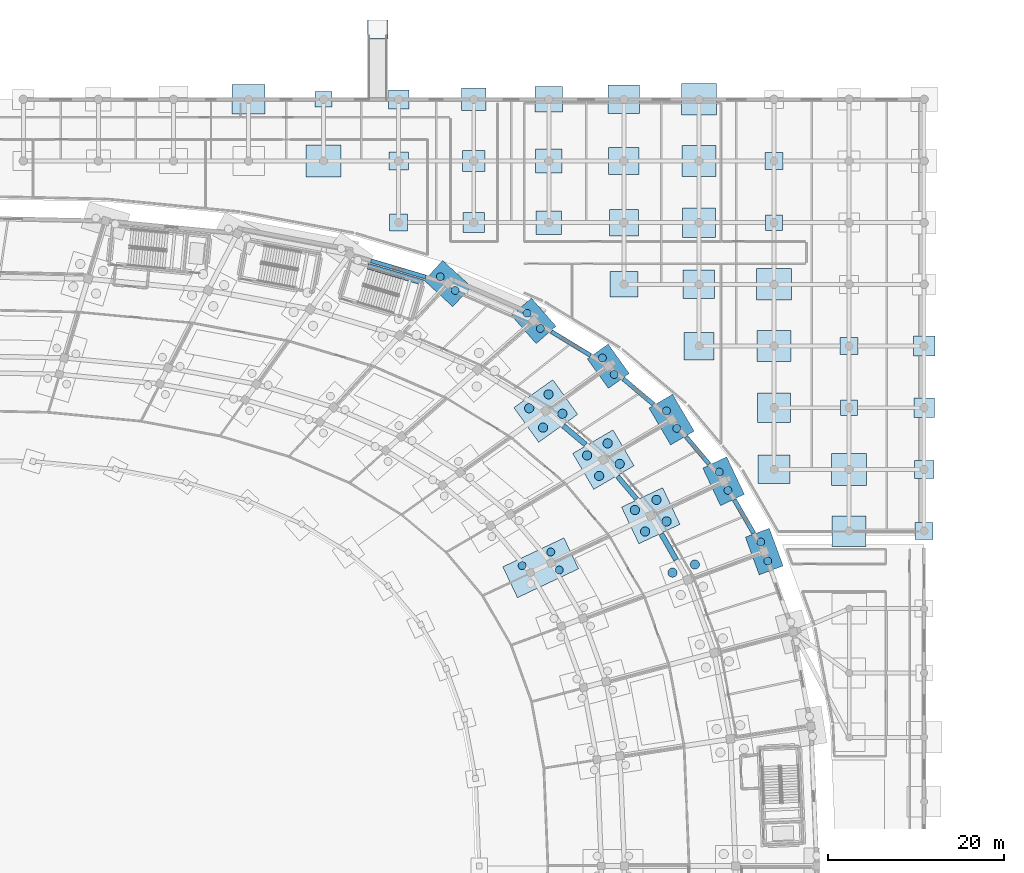
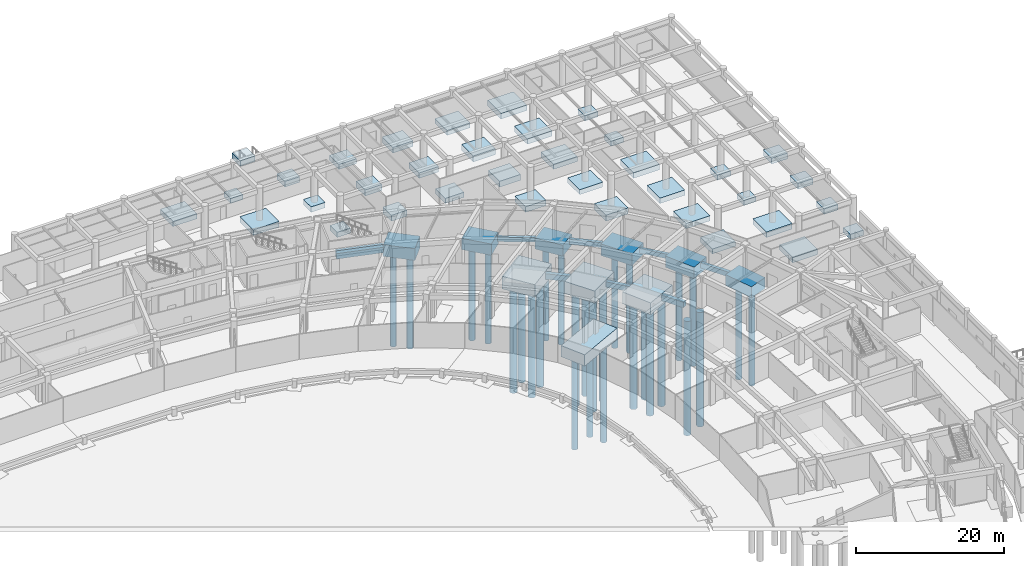
# One storey, part 13 of 88: 55 footings, 29 piles.
"""IFC4 building model written with IfcOpenShell, lengths in metres."""

from ifc_helpers import new_model, si_unit, direction, frame, origin, origin_2d, place, context, subcontext, project, spatial, rectangle, circle, extrude, material, material_profile, profile_set, type_object, element, save


model = new_model("IFC4")

# Units and contexts
model_context = context("Model", 3, precision=1e-05, world=origin(), true_north=direction((0.0, 1.0)))
body_context = subcontext(model_context, "Body", "Model", "MODEL_VIEW")
ifc_project = project(units=[si_unit("LENGTHUNIT", "METRE"), si_unit("AREAUNIT", "SQUARE_METRE"), si_unit("VOLUMEUNIT", "CUBIC_METRE"), si_unit("PLANEANGLEUNIT", "RADIAN"), si_unit("MASSUNIT", "GRAM", prefix="KILO")], contexts=[model_context])

# Site, building, storey
site_placement = place(None, origin())
site = spatial("IfcSite", under=ifc_project, at=site_placement, CompositionType="ELEMENT")
building_placement = place(site_placement, origin())
building = spatial("IfcBuilding", under=site, at=building_placement, Name="Mphavela Belvedere Stadium", CompositionType="ELEMENT")
storey_placement = place(building_placement, origin())
storey = spatial("IfcBuildingStorey", under=building, at=storey_placement, Name="L00", CompositionType="ELEMENT", Elevation=0.0)

# Footings
ifc_material_1 = material(Name="Concrete C35/45", Category="concrete")
footing_type_1 = type_object("IfcFootingType", Name="FTG-CORE-CF16", PredefinedType="PAD_FOOTING", material=ifc_material_1)
footing_1_placement = place(storey_placement, frame((169.988525390625, 154.138916015625, -0.89990234375), z_axis=(0.0, 0.0, 1.0), x_axis=(0.958670893355, -0.284517342588, 0.0)))
element("IfcFooting", 1, at=footing_1_placement, inside=storey, type_object=footing_type_1, Name="Core P01 shear wall foundation pad rear", PredefinedType="PAD_FOOTING", context=body_context, shape_type="SweptSolid", body=[
    extrude(rectangle(XDim=6.5, YDim=0.64990234375, at=origin_2d()), origin(), (0.0, 0.0, 1.0), 0.89990234375),
])
ifc_material_2 = material(Name="Concrete C35/45", Category="concrete")
ifc_material_profile_1 = material_profile(ifc_material_2, rectangle(XDim=0.449951171875, YDim=0.75, at=origin_2d()), Name="GB 450x750")
ifc_profile_set_1 = profile_set([ifc_material_profile_1], Name="Concrete C35/45")
footing_type_2 = type_object("IfcFootingType", Name="FTG-GB-01", PredefinedType="FOOTING_BEAM", material=ifc_profile_set_1)
footing_2_placement = place(storey_placement, frame((205.61279296875, 132.59130859375, -0.5), z_axis=(-0.645171529, 0.764037759648, 0.0), x_axis=(-0.764037759648, -0.645171529, 0.0)))
element("IfcFooting", 2, at=footing_2_placement, inside=storey, type_object=footing_type_2, Name="Ground tie-beam R4-05", PredefinedType="FOOTING_BEAM", context=body_context, shape_type="SweptSolid", body=[
    extrude(rectangle(XDim=0.449951171875, YDim=0.75, at=origin_2d()), origin(), (0.0, 0.0, 1.0), 4.09130859375),
])
footing_3_placement = place(storey_placement, frame((192.138916015625, 144.94140625, -0.5), z_axis=(-0.854311714945, 0.519760996716, 0.0), x_axis=(-0.519760996716, -0.854311714945, 0.0)))
element("IfcFooting", 3, at=footing_3_placement, inside=storey, type_object=footing_type_2, Name="Ground tie-beam R4-07", PredefinedType="FOOTING_BEAM", context=body_context, shape_type="SweptSolid", body=[
    extrude(rectangle(XDim=0.449951171875, YDim=0.75, at=origin_2d()), origin(), (0.0, 0.0, 1.0), 5.206787109375),
])
footing_4_placement = place(storey_placement, frame((173.4462890625, 153.830810546875, -0.5), z_axis=(-0.958664167642, 0.284540003654, 0.0), x_axis=(-0.284540003654, -0.958664167642, 0.0)))
element("IfcFooting", 4, at=footing_4_placement, inside=storey, type_object=footing_type_2, Name="Ground tie-beam R4-09", PredefinedType="FOOTING_BEAM", context=body_context, shape_type="SweptSolid", body=[
    extrude(rectangle(XDim=0.449951171875, YDim=0.75, at=origin_2d()), origin(), (0.0, 0.0, 1.0), 6.49609375),
])
ifc_material_3 = material(Name="Concrete C35/45", Category="concrete")
ifc_material_profile_2 = material_profile(ifc_material_3, rectangle(XDim=0.5, YDim=0.800048828125, at=origin_2d()), Name="GB 500x800")
ifc_profile_set_2 = profile_set([ifc_material_profile_2], Name="Concrete C35/45")
footing_type_3 = type_object("IfcFootingType", Name="FTG-GB-02", PredefinedType="FOOTING_BEAM", material=ifc_profile_set_2)
footing_5_placement = place(storey_placement, frame((210.66162109375, 124.748291015625, -0.5), z_axis=(-0.500548248894, 0.865708640669, 0.0), x_axis=(-0.865708640669, -0.500548248894, 0.0)))
element("IfcFooting", 5, at=footing_5_placement, inside=storey, type_object=footing_type_3, Name="Ground tie-beam R4-04", PredefinedType="FOOTING_BEAM", context=body_context, shape_type="SweptSolid", body=[
    extrude(rectangle(XDim=0.5, YDim=0.800048828125, at=origin_2d()), origin(), (0.0, 0.0, 1.0), 4.41796875),
])
footing_6_placement = place(storey_placement, frame((199.278076171875, 139.39208984375, -0.5), z_axis=(-0.764266355508, 0.644900719366, 0.0), x_axis=(-0.644900719366, -0.764266355508, 0.0)))
element("IfcFooting", 6, at=footing_6_placement, inside=storey, type_object=footing_type_3, Name="Ground tie-beam R4-06", PredefinedType="FOOTING_BEAM", context=body_context, shape_type="SweptSolid", body=[
    extrude(rectangle(XDim=0.5, YDim=0.800048828125, at=origin_2d()), origin(), (0.0, 0.0, 1.0), 4.489501953125),
])
ifc_material_4 = material(Name="Concrete C35/45", Category="concrete")
ifc_material_profile_3 = material_profile(ifc_material_4, rectangle(XDim=0.550048828125, YDim=0.85009765625, at=origin_2d()), Name="GB 550x850")
ifc_profile_set_3 = profile_set([ifc_material_profile_3], Name="Concrete C35/45")
footing_type_4 = type_object("IfcFootingType", Name="FTG-GB-03", PredefinedType="FOOTING_BEAM", material=ifc_profile_set_3)
footing_7_placement = place(storey_placement, frame((197.37060546875, 128.64892578125, -0.550048828125), z_axis=(-0.645184580174, 0.764026738738, 0.0), x_axis=(-0.764026738738, -0.645184580174, 0.0)))
element("IfcFooting", 7, at=footing_7_placement, inside=storey, type_object=footing_type_4, Name="Ground tie-beam R3-05", PredefinedType="FOOTING_BEAM", context=body_context, shape_type="SweptSolid", body=[
    extrude(rectangle(XDim=0.550048828125, YDim=0.85009765625, at=origin_2d()), origin(), (0.0, 0.0, 1.0), 3.366943359375),
])
ifc_material_5 = material(Name="Concrete C35/45", Category="concrete")
ifc_material_profile_4 = material_profile(ifc_material_5, rectangle(XDim=0.60009765625, YDim=0.89990234375, at=origin_2d()), Name="GB 600x900")
ifc_profile_set_4 = profile_set([ifc_material_profile_4], Name="Concrete C35/45")
footing_type_5 = type_object("IfcFootingType", Name="FTG-GB-04", PredefinedType="FOOTING_BEAM", material=ifc_profile_set_4)
footing_8_placement = place(storey_placement, frame((201.87255859375, 121.73779296875, -0.550048828125), z_axis=(-0.50051297735, 0.865729033534, 0.0), x_axis=(-0.865729033534, -0.50051297735, 0.0)))
element("IfcFooting", 8, at=footing_8_placement, inside=storey, type_object=footing_type_5, Name="Ground tie-beam R3-04", PredefinedType="FOOTING_BEAM", context=body_context, shape_type="SweptSolid", body=[
    extrude(rectangle(XDim=0.60009765625, YDim=0.89990234375, at=origin_2d()), origin(), (0.0, 0.0, 1.0), 3.42138671875),
])
footing_9_placement = place(storey_placement, frame((191.579345703125, 134.819091796875, -0.550048828125), z_axis=(-0.764251649349, 0.644918147106, 0.0), x_axis=(-0.644918147106, -0.764251649349, 0.0)))
element("IfcFooting", 9, at=footing_9_placement, inside=storey, type_object=footing_type_5, Name="Ground tie-beam R3-06", PredefinedType="FOOTING_BEAM", context=body_context, shape_type="SweptSolid", body=[
    extrude(rectangle(XDim=0.60009765625, YDim=0.89990234375, at=origin_2d()), origin(), (0.0, 0.0, 1.0), 3.30419921875),
])
ifc_material_6 = material(Name="Concrete C35/45", Category="concrete")
footing_type_6 = type_object("IfcFootingType", Name="FTG-PAD-01", PredefinedType="PAD_FOOTING", material=ifc_material_6)
for number, where, z_axis, x_axis, name in (
    (10, (161.85205078125, 174.0, -0.7998046875), (0.0, 0.0, 1.0), (1.0, 0.0, 0.0), "North Mast and Ceremonial End Forecourt pad footing 20-8"),
    (11, (212.962890625, 160.0, -0.7998046875), (0.0, 0.0, 1.0), (1.0, 0.0, 0.0), "North Mast and Ceremonial End Forecourt pad footing 26-6"),
    (12, (221.48095703125, 139.0, -0.7998046875), (0.0, 0.0, 1.0), (1.0, 0.0, 0.0), "North Mast and Ceremonial End Forecourt pad footing 27-3"),
):
    element("IfcFooting", number, at=place(storey_placement, frame(where, z_axis=z_axis, x_axis=x_axis)), inside=storey, type_object=footing_type_6, Name=name, PredefinedType="PAD_FOOTING", context=body_context, shape_type="SweptSolid", body=[
        extrude(rectangle(XDim=1.89990234375, YDim=1.800048828125, at=origin_2d()), origin(), (0.0, 0.0, 1.0), 0.800048828125),
    ])
ifc_material_7 = material(Name="Concrete C35/45", Category="concrete")
footing_type_7 = type_object("IfcFootingType", Name="FTG-PAD-02", PredefinedType="PAD_FOOTING", material=ifc_material_7)
for number, where, z_axis, x_axis, name in (
    (13, (170.3701171875, 160.0, -0.83984375), (0.0, 0.0, 1.0), (1.0, 0.0, 0.0), "North Mast and Ceremonial End Forecourt pad footing 21-6"),
    (14, (212.962890625, 167.0, -0.83984375), (0.0, 0.0, 1.0), (1.0, 0.0, 0.0), "North Mast and Ceremonial End Forecourt pad footing 26-7"),
    (15, (221.48095703125, 146.0, -0.83984375), (0.0, 0.0, 1.0), (1.0, 0.0, 0.0), "North Mast and Ceremonial End Forecourt pad footing 27-4"),
    (16, (230.0, 125.0, -0.83984375), (0.0, 0.0, 1.0), (1.0, 0.0, 0.0), "North Mast and Ceremonial End Forecourt pad footing 28-1"),
):
    element("IfcFooting", number, at=place(storey_placement, frame(where, z_axis=z_axis, x_axis=x_axis)), inside=storey, type_object=footing_type_7, Name=name, PredefinedType="PAD_FOOTING", context=body_context, shape_type="SweptSolid", body=[
        extrude(rectangle(XDim=2.0400390625, YDim=1.919921875, at=origin_2d()), origin(), (0.0, 0.0, 1.0), 0.840087890625),
    ])
ifc_material_8 = material(Name="Concrete C35/45", Category="concrete")
footing_type_8 = type_object("IfcFootingType", Name="FTG-PAD-03", PredefinedType="PAD_FOOTING", material=ifc_material_8)
for number, where, z_axis, x_axis, name in (
    (17, (170.3701171875, 167.0, -0.8798828125), (0.0, 0.0, 1.0), (1.0, 0.0, 0.0), "North Mast and Ceremonial End Forecourt pad footing 21-7"),
    (18, (230.0, 132.0, -0.8798828125), (0.0, 0.0, 1.0), (1.0, 0.0, 0.0), "North Mast and Ceremonial End Forecourt pad footing 28-2"),
):
    element("IfcFooting", number, at=place(storey_placement, frame(where, z_axis=z_axis, x_axis=x_axis)), inside=storey, type_object=footing_type_8, Name=name, PredefinedType="PAD_FOOTING", context=body_context, shape_type="SweptSolid", body=[
        extrude(rectangle(XDim=2.179931640625, YDim=2.0400390625, at=origin_2d()), origin(), (0.0, 0.0, 1.0), 0.8798828125),
    ])
ifc_material_9 = material(Name="Concrete C35/45", Category="concrete")
footing_type_9 = type_object("IfcFootingType", Name="FTG-PAD-04", PredefinedType="PAD_FOOTING", material=ifc_material_9)
for number, where, z_axis, x_axis, name in (
    (19, (170.3701171875, 174.0, -0.919921875), (0.0, 0.0, 1.0), (1.0, 0.0, 0.0), "North Mast and Ceremonial End Forecourt pad footing 21-8"),
    (20, (230.0, 139.0, -0.919921875), (0.0, 0.0, 1.0), (1.0, 0.0, 0.0), "North Mast and Ceremonial End Forecourt pad footing 28-3"),
    (21, (168.0, 181.89990234375, -1.4599609375), (0.0, 0.0, 1.0), (1.0, 0.0, 0.0), "Ramp RP4 approach foundation pad"),
):
    element("IfcFooting", number, at=place(storey_placement, frame(where, z_axis=z_axis, x_axis=x_axis)), inside=storey, type_object=footing_type_9, Name=name, PredefinedType="PAD_FOOTING", context=body_context, shape_type="SweptSolid", body=[
        extrude(rectangle(XDim=2.320068359375, YDim=2.159912109375, at=origin_2d()), origin(), (0.0, 0.0, 1.0), 0.919921875),
    ])
ifc_material_10 = material(Name="Concrete C35/45", Category="concrete")
footing_type_10 = type_object("IfcFootingType", Name="FTG-PAD-05", PredefinedType="PAD_FOOTING", material=ifc_material_10)
for number, where, z_axis, x_axis, name in (
    (22, (178.888916015625, 160.0, -0.9599609375), (0.0, 0.0, 1.0), (1.0, 0.0, 0.0), "North Mast and Ceremonial End Forecourt pad footing 22-6"),
    (23, (230.0, 146.0, -0.9599609375), (0.0, 0.0, 1.0), (1.0, 0.0, 0.0), "North Mast and Ceremonial End Forecourt pad footing 28-4"),
):
    element("IfcFooting", number, at=place(storey_placement, frame(where, z_axis=z_axis, x_axis=x_axis)), inside=storey, type_object=footing_type_10, Name=name, PredefinedType="PAD_FOOTING", context=body_context, shape_type="SweptSolid", body=[
        extrude(rectangle(XDim=2.4599609375, YDim=2.280029296875, at=origin_2d()), origin(), (0.0, 0.0, 1.0), 0.9599609375),
    ])
ifc_material_11 = material(Name="Concrete C35/45", Category="concrete")
footing_type_11 = type_object("IfcFootingType", Name="FTG-PAD-06", PredefinedType="PAD_FOOTING", material=ifc_material_11)
footing_10_placement = place(storey_placement, frame((178.888916015625, 167.0, -1.0), z_axis=(0.0, 0.0, 1.0), x_axis=(1.0, 0.0, 0.0)))
element("IfcFooting", 24, at=footing_10_placement, inside=storey, type_object=footing_type_11, Name="North Mast and Ceremonial End Forecourt pad footing 22-7", PredefinedType="PAD_FOOTING", context=body_context, shape_type="SweptSolid", body=[
    extrude(rectangle(XDim=2.60009765625, YDim=2.39990234375, at=origin_2d()), origin(), (0.0, 0.0, 1.0), 1.0),
])
ifc_material_12 = material(Name="Concrete C35/45", Category="concrete")
footing_type_12 = type_object("IfcFootingType", Name="FTG-PAD-07", PredefinedType="PAD_FOOTING", material=ifc_material_12)
footing_11_placement = place(storey_placement, frame((178.888916015625, 174.0, -0.7998046875), z_axis=(0.0, 0.0, 1.0), x_axis=(1.0, 0.0, 0.0)))
element("IfcFooting", 25, at=footing_11_placement, inside=storey, type_object=footing_type_12, Name="North Mast and Ceremonial End Forecourt pad footing 22-8", PredefinedType="PAD_FOOTING", context=body_context, shape_type="SweptSolid", body=[
    extrude(rectangle(XDim=2.739990234375, YDim=2.52001953125, at=origin_2d()), origin(), (0.0, 0.0, 1.0), 0.800048828125),
])
ifc_material_13 = material(Name="Concrete C35/45", Category="concrete")
footing_type_13 = type_object("IfcFootingType", Name="FTG-PAD-08", PredefinedType="PAD_FOOTING", material=ifc_material_13)
footing_12_placement = place(storey_placement, frame((187.406982421875, 160.0, -0.83984375), z_axis=(0.0, 0.0, 1.0), x_axis=(1.0, 0.0, 0.0)))
element("IfcFooting", 26, at=footing_12_placement, inside=storey, type_object=footing_type_13, Name="North Mast and Ceremonial End Forecourt pad footing 23-6", PredefinedType="PAD_FOOTING", context=body_context, shape_type="SweptSolid", body=[
    extrude(rectangle(XDim=2.8798828125, YDim=2.639892578125, at=origin_2d()), origin(), (0.0, 0.0, 1.0), 0.840087890625),
])
ifc_material_14 = material(Name="Concrete C35/45", Category="concrete")
footing_type_14 = type_object("IfcFootingType", Name="FTG-PAD-09", PredefinedType="PAD_FOOTING", material=ifc_material_14)
footing_13_placement = place(storey_placement, frame((187.406982421875, 167.0, -0.8798828125), z_axis=(0.0, 0.0, 1.0), x_axis=(1.0, 0.0, 0.0)))
element("IfcFooting", 27, at=footing_13_placement, inside=storey, type_object=footing_type_14, Name="North Mast and Ceremonial End Forecourt pad footing 23-7", PredefinedType="PAD_FOOTING", context=body_context, shape_type="SweptSolid", body=[
    extrude(rectangle(XDim=3.02001953125, YDim=2.760009765625, at=origin_2d()), origin(), (0.0, 0.0, 1.0), 0.8798828125),
])
ifc_material_15 = material(Name="Concrete C35/45", Category="concrete")
footing_type_15 = type_object("IfcFootingType", Name="FTG-PAD-10", PredefinedType="PAD_FOOTING", material=ifc_material_15)
for number, where, z_axis, x_axis, name in (
    (28, (187.406982421875, 174.0, -0.919921875), (0.0, 0.0, 1.0), (1.0, 0.0, 0.0), "North Mast and Ceremonial End Forecourt pad footing 23-8"),
    (29, (195.926025390625, 153.0, -0.919921875), (0.0, 0.0, 1.0), (1.0, 0.0, 0.0), "North Mast and Ceremonial End Forecourt pad footing 24-5"),
):
    element("IfcFooting", number, at=place(storey_placement, frame(where, z_axis=z_axis, x_axis=x_axis)), inside=storey, type_object=footing_type_15, Name=name, PredefinedType="PAD_FOOTING", context=body_context, shape_type="SweptSolid", body=[
        extrude(rectangle(XDim=3.159912109375, YDim=2.8798828125, at=origin_2d()), origin(), (0.0, 0.0, 1.0), 0.919921875),
    ])
ifc_material_16 = material(Name="Concrete C35/45", Category="concrete")
footing_type_16 = type_object("IfcFootingType", Name="FTG-PAD-11", PredefinedType="PAD_FOOTING", material=ifc_material_16)
footing_14_placement = place(storey_placement, frame((195.926025390625, 160.0, -0.9599609375), z_axis=(0.0, 0.0, 1.0), x_axis=(1.0, 0.0, 0.0)))
element("IfcFooting", 30, at=footing_14_placement, inside=storey, type_object=footing_type_16, Name="North Mast and Ceremonial End Forecourt pad footing 24-6", PredefinedType="PAD_FOOTING", context=body_context, shape_type="SweptSolid", body=[
    extrude(rectangle(XDim=3.300048828125, YDim=3.0, at=origin_2d()), origin(), (0.0, 0.0, 1.0), 0.9599609375),
])
ifc_material_17 = material(Name="Concrete C35/45", Category="concrete")
footing_type_17 = type_object("IfcFootingType", Name="FTG-PAD-12", PredefinedType="PAD_FOOTING", material=ifc_material_17)
for number, where, z_axis, x_axis, name in (
    (31, (195.926025390625, 167.0, -1.0), (0.0, 0.0, 1.0), (1.0, 0.0, 0.0), "North Mast and Ceremonial End Forecourt pad footing 24-7"),
    (32, (204.444091796875, 146.0, -1.0), (0.0, 0.0, 1.0), (1.0, 0.0, 0.0), "North Mast and Ceremonial End Forecourt pad footing 25-4"),
):
    element("IfcFooting", number, at=place(storey_placement, frame(where, z_axis=z_axis, x_axis=x_axis)), inside=storey, type_object=footing_type_17, Name=name, PredefinedType="PAD_FOOTING", context=body_context, shape_type="SweptSolid", body=[
        extrude(rectangle(XDim=3.43994140625, YDim=3.1201171875, at=origin_2d()), origin(), (0.0, 0.0, 1.0), 1.0),
    ])
ifc_material_18 = material(Name="Concrete C35/45", Category="concrete")
footing_type_18 = type_object("IfcFootingType", Name="FTG-PAD-13", PredefinedType="PAD_FOOTING", material=ifc_material_18)
for number, where, z_axis, x_axis, name in (
    (33, (195.926025390625, 174.0, -0.7998046875), (0.0, 0.0, 1.0), (1.0, 0.0, 0.0), "North Mast and Ceremonial End Forecourt pad footing 24-8"),
    (34, (204.444091796875, 153.0, -0.7998046875), (0.0, 0.0, 1.0), (1.0, 0.0, 0.0), "North Mast and Ceremonial End Forecourt pad footing 25-5"),
    (35, (212.962890625, 132.0, -0.7998046875), (0.0, 0.0, 1.0), (1.0, 0.0, 0.0), "North Mast and Ceremonial End Forecourt pad footing 26-2"),
):
    element("IfcFooting", number, at=place(storey_placement, frame(where, z_axis=z_axis, x_axis=x_axis)), inside=storey, type_object=footing_type_18, Name=name, PredefinedType="PAD_FOOTING", context=body_context, shape_type="SweptSolid", body=[
        extrude(rectangle(XDim=3.580078125, YDim=3.239990234375, at=origin_2d()), origin(), (0.0, 0.0, 1.0), 0.800048828125),
    ])
ifc_material_19 = material(Name="Concrete C35/45", Category="concrete")
footing_type_19 = type_object("IfcFootingType", Name="FTG-PAD-14", PredefinedType="PAD_FOOTING", material=ifc_material_19)
for number, where, z_axis, x_axis, name in (
    (36, (153.3330078125, 174.0, -0.83984375), (0.0, 0.0, 1.0), (1.0, 0.0, 0.0), "North Mast and Ceremonial End Forecourt pad footing 19-8"),
    (37, (204.444091796875, 160.0, -0.83984375), (0.0, 0.0, 1.0), (1.0, 0.0, 0.0), "North Mast and Ceremonial End Forecourt pad footing 25-6"),
    (38, (212.962890625, 139.0, -0.83984375), (0.0, 0.0, 1.0), (1.0, 0.0, 0.0), "North Mast and Ceremonial End Forecourt pad footing 26-3"),
):
    element("IfcFooting", number, at=place(storey_placement, frame(where, z_axis=z_axis, x_axis=x_axis)), inside=storey, type_object=footing_type_19, Name=name, PredefinedType="PAD_FOOTING", context=body_context, shape_type="SweptSolid", body=[
        extrude(rectangle(XDim=3.719970703125, YDim=3.360107421875, at=origin_2d()), origin(), (0.0, 0.0, 1.0), 0.840087890625),
    ])
ifc_material_20 = material(Name="Concrete C35/45", Category="concrete")
footing_type_20 = type_object("IfcFootingType", Name="FTG-PAD-15", PredefinedType="PAD_FOOTING", material=ifc_material_20)
for number, where, z_axis, x_axis, name in (
    (39, (204.444091796875, 167.0, -0.8798828125), (0.0, 0.0, 1.0), (1.0, 0.0, 0.0), "North Mast and Ceremonial End Forecourt pad footing 25-7"),
    (40, (212.962890625, 146.0, -0.8798828125), (0.0, 0.0, 1.0), (1.0, 0.0, 0.0), "North Mast and Ceremonial End Forecourt pad footing 26-4"),
    (41, (221.48095703125, 125.0, -0.8798828125), (0.0, 0.0, 1.0), (1.0, 0.0, 0.0), "North Mast and Ceremonial End Forecourt pad footing 27-1"),
):
    element("IfcFooting", number, at=place(storey_placement, frame(where, z_axis=z_axis, x_axis=x_axis)), inside=storey, type_object=footing_type_20, Name=name, PredefinedType="PAD_FOOTING", context=body_context, shape_type="SweptSolid", body=[
        extrude(rectangle(XDim=3.860107421875, YDim=3.47998046875, at=origin_2d()), origin(), (0.0, 0.0, 1.0), 0.8798828125),
    ])
ifc_material_21 = material(Name="Concrete C35/45", Category="concrete")
footing_type_21 = type_object("IfcFootingType", Name="FTG-PAD-16", PredefinedType="PAD_FOOTING", material=ifc_material_21)
for number, where, z_axis, x_axis, name in (
    (42, (161.85205078125, 167.0, -0.919921875), (0.0, 0.0, 1.0), (1.0, 0.0, 0.0), "North Mast and Ceremonial End Forecourt pad footing 20-7"),
    (43, (204.444091796875, 174.0, -0.919921875), (0.0, 0.0, 1.0), (1.0, 0.0, 0.0), "North Mast and Ceremonial End Forecourt pad footing 25-8"),
    (44, (212.962890625, 153.0, -0.919921875), (0.0, 0.0, 1.0), (1.0, 0.0, 0.0), "North Mast and Ceremonial End Forecourt pad footing 26-5"),
    (45, (221.48095703125, 132.0, -0.919921875), (0.0, 0.0, 1.0), (1.0, 0.0, 0.0), "North Mast and Ceremonial End Forecourt pad footing 27-2"),
):
    element("IfcFooting", number, at=place(storey_placement, frame(where, z_axis=z_axis, x_axis=x_axis)), inside=storey, type_object=footing_type_21, Name=name, PredefinedType="PAD_FOOTING", context=body_context, shape_type="SweptSolid", body=[
        extrude(rectangle(XDim=4.0, YDim=3.60009765625, at=origin_2d()), origin(), (0.0, 0.0, 1.0), 0.919921875),
    ])
ifc_material_22 = material(Name="Concrete C35/45", Category="concrete")
footing_type_22 = type_object("IfcFootingType", Name="FTG-PC-R12-05", PredefinedType="PILE_CAP", material=ifc_material_22)
footing_15_placement = place(storey_placement, frame((186.48779296875, 120.837646484375, -1.85009765625), z_axis=(0.0, 0.0, 1.0), x_axis=(0.903858661687, 0.4278311813, 0.0)))
element("IfcFooting", 46, at=footing_15_placement, inside=storey, type_object=footing_type_22, Name="Bowl inner pile cap 05", PredefinedType="PILE_CAP", context=body_context, shape_type="SweptSolid", body=[
    extrude(rectangle(XDim=7.679931640625, YDim=3.8798828125, at=origin_2d()), origin(), (0.0, 0.0, 1.0), 1.85009765625),
])
ifc_material_23 = material(Name="Concrete C35/45", Category="concrete")
footing_type_23 = type_object("IfcFootingType", Name="FTG-PC-R3-05", PredefinedType="PILE_CAP", material=ifc_material_23)
footing_16_placement = place(storey_placement, frame((198.9755859375, 126.748291015625, -1.9501953125), z_axis=(0.0, 0.0, 1.0), x_axis=(0.903858661687, 0.4278311813, 0.0)))
element("IfcFooting", 47, at=footing_16_placement, inside=storey, type_object=footing_type_23, Name="Bowl main pile cap 05", PredefinedType="PILE_CAP", context=body_context, shape_type="SweptSolid", body=[
    extrude(rectangle(XDim=5.159912109375, YDim=4.60009765625, at=origin_2d()), origin(), (0.0, 0.0, 1.0), 1.949951171875),
])
ifc_material_24 = material(Name="Concrete C35/45", Category="concrete")
footing_type_24 = type_object("IfcFootingType", Name="FTG-PC-R3-06", PredefinedType="PILE_CAP", material=ifc_material_24)
footing_17_placement = place(storey_placement, frame((193.600341796875, 133.11376953125, -2.009765625), z_axis=(0.0, 0.0, 1.0), x_axis=(0.862513669207, 0.506033764121, 0.0)))
element("IfcFooting", 48, at=footing_17_placement, inside=storey, type_object=footing_type_24, Name="Bowl main pile cap 06", PredefinedType="PILE_CAP", context=body_context, shape_type="SweptSolid", body=[
    extrude(rectangle(XDim=5.300048828125, YDim=4.719970703125, at=origin_2d()), origin(), (0.0, 0.0, 1.0), 2.010009765625),
])
ifc_material_25 = material(Name="Concrete C35/45", Category="concrete")
footing_type_25 = type_object("IfcFootingType", Name="FTG-PC-R3-07", PredefinedType="PILE_CAP", material=ifc_material_25)
footing_18_placement = place(storey_placement, frame((187.061279296875, 138.631591796875, -2.06982421875), z_axis=(0.0, 0.0, 1.0), x_axis=(0.812897512265, 0.582406760395, 0.0)))
element("IfcFooting", 49, at=footing_18_placement, inside=storey, type_object=footing_type_25, Name="Bowl main pile cap 07", PredefinedType="PILE_CAP", context=body_context, shape_type="SweptSolid", body=[
    extrude(rectangle(XDim=5.43994140625, YDim=4.840087890625, at=origin_2d()), origin(), (0.0, 0.0, 1.0), 2.070068359375),
])
ifc_material_26 = material(Name="Concrete C35/45", Category="concrete")
footing_type_26 = type_object("IfcFootingType", Name="FTG-PC-R4-01", PredefinedType="PILE_CAP", material=ifc_material_26)
footing_19_placement = place(storey_placement, frame((194.155517578125, 143.714599609375, -1.7998046875), z_axis=(0.0, 0.0, 1.0), x_axis=(-0.582406760395, 0.812897512265, 0.0)))
element("IfcFooting", 50, at=footing_19_placement, inside=storey, type_object=footing_type_26, Name="Perimeter colonnade pile cap 07", PredefinedType="PILE_CAP", context=body_context, shape_type="SweptSolid", body=[
    extrude(rectangle(XDim=4.10009765625, YDim=2.89990234375, at=origin_2d()), origin(), (0.0, 0.0, 1.0), 1.800048828125),
])
ifc_material_27 = material(Name="Concrete C35/45", Category="concrete")
footing_type_27 = type_object("IfcFootingType", Name="FTG-PC-R4-02", PredefinedType="PILE_CAP", material=ifc_material_27)
footing_20_placement = place(storey_placement, frame((185.6962890625, 148.86083984375, -1.85986328125), z_axis=(0.0, 0.0, 1.0), x_axis=(-0.658558128912, 0.752529860433, 0.0)))
element("IfcFooting", 51, at=footing_20_placement, inside=storey, type_object=footing_type_27, Name="Perimeter colonnade pile cap 08", PredefinedType="PILE_CAP", context=body_context, shape_type="SweptSolid", body=[
    extrude(rectangle(XDim=4.25, YDim=3.0, at=origin_2d()), origin(), (0.0, 0.0, 1.0), 1.860107421875),
])
ifc_material_28 = material(Name="Concrete C35/45", Category="concrete")
footing_type_28 = type_object("IfcFootingType", Name="FTG-PC-R4-03", PredefinedType="PILE_CAP", material=ifc_material_28)
footing_21_placement = place(storey_placement, frame((175.9375, 153.09130859375, -1.919921875), z_axis=(0.0, 0.0, 1.0), x_axis=(-0.735151272753, 0.677903094969, 0.0)))
element("IfcFooting", 52, at=footing_21_placement, inside=storey, type_object=footing_type_28, Name="Perimeter colonnade pile cap 09", PredefinedType="PILE_CAP", context=body_context, shape_type="SweptSolid", body=[
    extrude(rectangle(XDim=4.39990234375, YDim=3.10009765625, at=origin_2d()), origin(), (0.0, 0.0, 1.0), 1.919921875),
])
ifc_material_29 = material(Name="Concrete C35/45", Category="concrete")
footing_type_29 = type_object("IfcFootingType", Name="FTG-PC-R4-04", PredefinedType="PILE_CAP", material=ifc_material_29)
footing_22_placement = place(storey_placement, frame((211.856201171875, 122.682373046875, -1.7998046875), z_axis=(0.0, 0.0, 1.0), x_axis=(-0.34562577382, 0.938372433776, 0.0)))
element("IfcFooting", 53, at=footing_22_placement, inside=storey, type_object=footing_type_29, Name="Perimeter colonnade pile cap 04", PredefinedType="PILE_CAP", context=body_context, shape_type="SweptSolid", body=[
    extrude(rectangle(XDim=4.550048828125, YDim=2.89990234375, at=origin_2d()), origin(), (0.0, 0.0, 1.0), 1.800048828125),
])
ifc_material_30 = material(Name="Concrete C35/45", Category="concrete")
footing_type_30 = type_object("IfcFootingType", Name="FTG-PC-R4-05", PredefinedType="PILE_CAP", material=ifc_material_30)
footing_23_placement = place(storey_placement, frame((207.242431640625, 130.66162109375, -1.85986328125), z_axis=(0.0, 0.0, 1.0), x_axis=(-0.4278311813, 0.903858661687, 0.0)))
element("IfcFooting", 54, at=footing_23_placement, inside=storey, type_object=footing_type_30, Name="Perimeter colonnade pile cap 05", PredefinedType="PILE_CAP", context=body_context, shape_type="SweptSolid", body=[
    extrude(rectangle(XDim=4.699951171875, YDim=3.0, at=origin_2d()), origin(), (0.0, 0.0, 1.0), 1.860107421875),
])
ifc_material_31 = material(Name="Concrete C35/45", Category="concrete")
footing_type_31 = type_object("IfcFootingType", Name="FTG-PC-R4-06", PredefinedType="PILE_CAP", material=ifc_material_31)
footing_24_placement = place(storey_placement, frame((201.33837890625, 137.653564453125, -1.919921875), z_axis=(0.0, 0.0, 1.0), x_axis=(-0.506033764121, 0.862513669207, 0.0)))
element("IfcFooting", 55, at=footing_24_placement, inside=storey, type_object=footing_type_31, Name="Perimeter colonnade pile cap 06", PredefinedType="PILE_CAP", context=body_context, shape_type="SweptSolid", body=[
    extrude(rectangle(XDim=4.85009765625, YDim=3.10009765625, at=origin_2d()), origin(), (0.0, 0.0, 1.0), 1.919921875),
])

# Piles
ifc_material_32 = material(Name="Concrete C35/45", Category="concrete")
ifc_material_profile_5 = material_profile(ifc_material_32, circle(Radius=0.52490234375, at=origin_2d()), Name="BP D1050")
ifc_profile_set_5 = profile_set([ifc_material_profile_5], Name="Concrete C35/45")
pile_type_1 = type_object("IfcPileType", Name="PIL-BP1050-A", PredefinedType="BORED", material=ifc_profile_set_5)
for number, where, z_axis, x_axis, name in (
    (56, (198.3330078125, 124.95068359375, -1.85009765625), (0.0, 0.0, -1.0), (1.0, 0.0, 0.0), "Bored pile R3-05-1"),
    (57, (197.177734375, 127.39111328125, -1.85009765625), (0.0, 0.0, -1.0), (1.0, 0.0, 0.0), "Bored pile R3-05-2"),
    (58, (200.773193359375, 126.105712890625, -1.85009765625), (0.0, 0.0, -1.0), (1.0, 0.0, 0.0), "Bored pile R3-05-3"),
    (59, (199.6181640625, 128.546142578125, -1.85009765625), (0.0, 0.0, -1.0), (1.0, 0.0, 0.0), "Bored pile R3-05-4"),
    (60, (186.750244140625, 136.747802734375, -1.969970703125), (0.0, 0.0, -1.0), (1.0, 0.0, 0.0), "Bored pile R3-07-1"),
    (61, (185.177734375, 138.942626953125, -1.969970703125), (0.0, 0.0, -1.0), (1.0, 0.0, 0.0), "Bored pile R3-07-2"),
    (62, (188.945068359375, 138.320556640625, -1.969970703125), (0.0, 0.0, -1.0), (1.0, 0.0, 0.0), "Bored pile R3-07-3"),
    (63, (187.37255859375, 140.515380859375, -1.969970703125), (0.0, 0.0, -1.0), (1.0, 0.0, 0.0), "Bored pile R3-07-4"),
):
    element("IfcPile", number, at=place(storey_placement, frame(where, z_axis=z_axis, x_axis=x_axis)), inside=storey, type_object=pile_type_1, Name=name, PredefinedType="BORED", context=body_context, shape_type="SweptSolid", body=[
        extrude(circle(Radius=0.52490234375, at=origin_2d()), origin(), (0.0, 0.0, 1.0), 17.5),
    ])
ifc_material_33 = material(Name="Concrete C35/45", Category="concrete")
ifc_material_profile_6 = material_profile(ifc_material_33, circle(Radius=0.52490234375, at=origin_2d()), Name="BP D1050")
ifc_profile_set_6 = profile_set([ifc_material_profile_6], Name="Concrete C35/45")
pile_type_2 = type_object("IfcPileType", Name="PIL-BP1050-B", PredefinedType="BORED", material=ifc_profile_set_6)
for number, where, z_axis, x_axis, name in (
    (64, (201.442138671875, 120.284423828125, -2.030029296875), (0.0, 0.0, -1.0), (1.0, 0.0, 0.0), "Bored pile R3-04-2"),
    (65, (203.9755859375, 121.2177734375, -2.030029296875), (0.0, 0.0, -1.0), (1.0, 0.0, 0.0), "Bored pile R3-04-4"),
    (66, (193.119140625, 131.266357421875, -1.909912109375), (0.0, 0.0, -1.0), (1.0, 0.0, 0.0), "Bored pile R3-06-1"),
    (67, (191.7529296875, 133.59521484375, -1.909912109375), (0.0, 0.0, -1.0), (1.0, 0.0, 0.0), "Bored pile R3-06-2"),
    (68, (195.447998046875, 132.632568359375, -1.909912109375), (0.0, 0.0, -1.0), (1.0, 0.0, 0.0), "Bored pile R3-06-3"),
    (69, (194.081787109375, 134.961181640625, -1.909912109375), (0.0, 0.0, -1.0), (1.0, 0.0, 0.0), "Bored pile R3-06-4"),
):
    element("IfcPile", number, at=place(storey_placement, frame(where, z_axis=z_axis, x_axis=x_axis)), inside=storey, type_object=pile_type_2, Name=name, PredefinedType="BORED", context=body_context, shape_type="SweptSolid", body=[
        extrude(circle(Radius=0.52490234375, at=origin_2d()), origin(), (0.0, 0.0, 1.0), 18.800048828125),
    ])
ifc_material_34 = material(Name="Concrete C35/45", Category="concrete")
ifc_material_profile_7 = material_profile(ifc_material_34, circle(Radius=0.449951171875, at=origin_2d()), Name="BP D900")
ifc_profile_set_7 = profile_set([ifc_material_profile_7], Name="Concrete C35/45")
pile_type_3 = type_object("IfcPileType", Name="PIL-BP900-A", PredefinedType="BORED", material=ifc_profile_set_7)
for number, where, z_axis, x_axis, name in (
    (70, (212.253662109375, 121.603271484375, -1.699951171875), (0.0, 0.0, -1.0), (1.0, 0.0, 0.0), "Bored pile R4-04-1"),
    (71, (211.45849609375, 123.761474609375, -1.699951171875), (0.0, 0.0, -1.0), (1.0, 0.0, 0.0), "Bored pile R4-04-2"),
):
    element("IfcPile", number, at=place(storey_placement, frame(where, z_axis=z_axis, x_axis=x_axis)), inside=storey, type_object=pile_type_3, Name=name, PredefinedType="BORED", context=body_context, shape_type="SweptSolid", body=[
        extrude(circle(Radius=0.449951171875, at=origin_2d()), origin(), (0.0, 0.0, 1.0), 15.60009765625),
    ])
for number, where, z_axis, x_axis, name in (
    (72, (184.379638671875, 121.08447265625, -1.75), (0.0, 0.0, -1.0), (1.0, 0.0, 0.0), "Bored pile R12-05-2"),
    (73, (188.59619140625, 120.5908203125, -1.75), (0.0, 0.0, -1.0), (1.0, 0.0, 0.0), "Bored pile R12-05-3"),
    (74, (187.633544921875, 122.62451171875, -1.75), (0.0, 0.0, -1.0), (1.0, 0.0, 0.0), "Bored pile R12-05-4"),
):
    element("IfcPile", number, at=place(storey_placement, frame(where, z_axis=z_axis, x_axis=x_axis)), inside=storey, type_object=pile_type_3, Name=name, PredefinedType="BORED", context=body_context, shape_type="SweptSolid", body=[
        extrude(circle(Radius=0.449951171875, at=origin_2d()), origin(), (0.0, 0.0, 1.0), 16.0),
    ])
for number, where, z_axis, x_axis, name in (
    (75, (207.734619140625, 129.6220703125, -1.760009765625), (0.0, 0.0, -1.0), (1.0, 0.0, 0.0), "Bored pile R4-05-1"),
    (76, (206.75048828125, 131.700927734375, -1.760009765625), (0.0, 0.0, -1.0), (1.0, 0.0, 0.0), "Bored pile R4-05-2"),
    (77, (201.920166015625, 136.66162109375, -1.820068359375), (0.0, 0.0, -1.0), (1.0, 0.0, 0.0), "Bored pile R4-06-1"),
    (78, (200.75634765625, 138.6455078125, -1.820068359375), (0.0, 0.0, -1.0), (1.0, 0.0, 0.0), "Bored pile R4-06-2"),
    (79, (194.825439453125, 142.77978515625, -1.699951171875), (0.0, 0.0, -1.0), (1.0, 0.0, 0.0), "Bored pile R4-07-1"),
    (80, (193.48583984375, 144.6494140625, -1.699951171875), (0.0, 0.0, -1.0), (1.0, 0.0, 0.0), "Bored pile R4-07-2"),
    (81, (186.45361328125, 147.995361328125, -1.760009765625), (0.0, 0.0, -1.0), (1.0, 0.0, 0.0), "Bored pile R4-08-1"),
    (82, (184.93896484375, 149.726318359375, -1.760009765625), (0.0, 0.0, -1.0), (1.0, 0.0, 0.0), "Bored pile R4-08-2"),
    (83, (176.783203125, 152.311767578125, -1.820068359375), (0.0, 0.0, -1.0), (1.0, 0.0, 0.0), "Bored pile R4-09-1"),
    (84, (175.092041015625, 153.870849609375, -1.820068359375), (0.0, 0.0, -1.0), (1.0, 0.0, 0.0), "Bored pile R4-09-2"),
):
    element("IfcPile", number, at=place(storey_placement, frame(where, z_axis=z_axis, x_axis=x_axis)), inside=storey, type_object=pile_type_3, Name=name, PredefinedType="BORED", context=body_context, shape_type="SweptSolid", body=[
        extrude(circle(Radius=0.449951171875, at=origin_2d()), origin(), (0.0, 0.0, 1.0), 15.60009765625),
    ])

save(model, "model.ifc")
